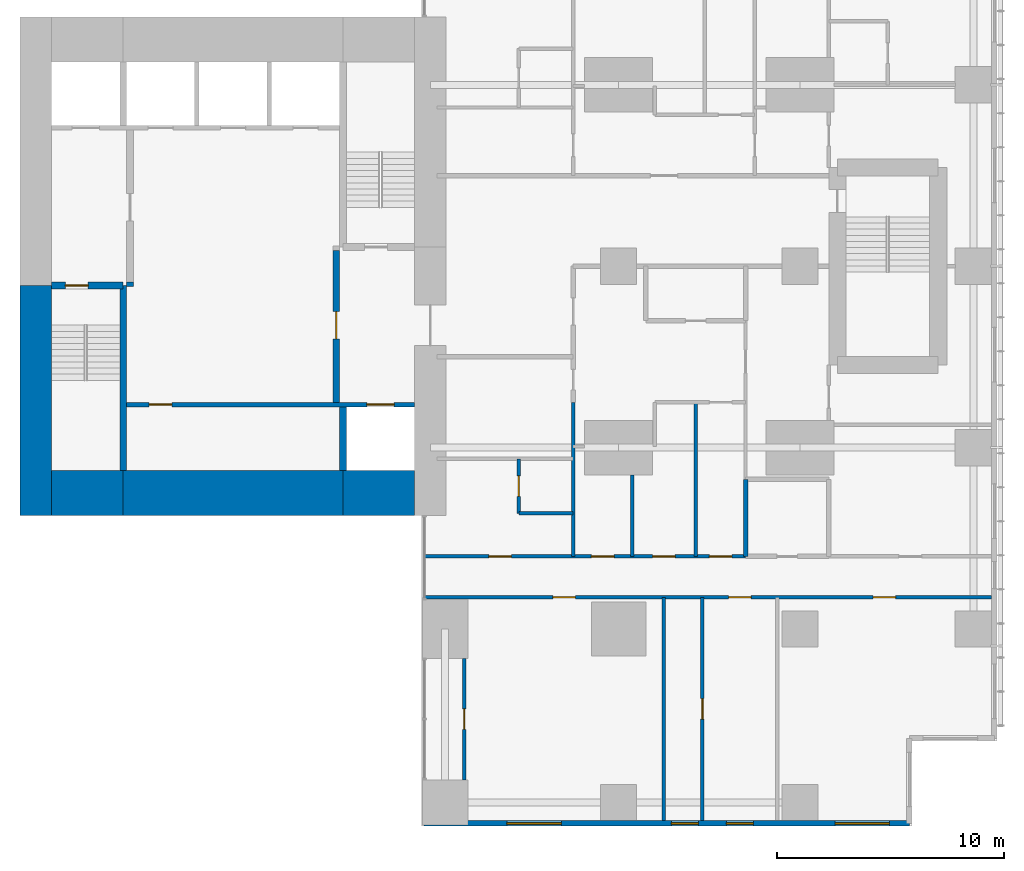
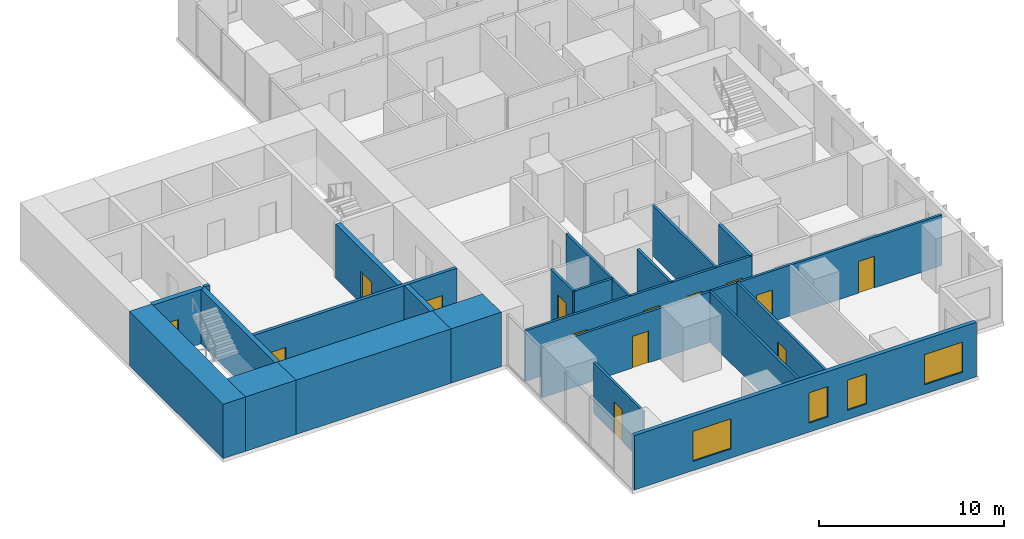
# One storey, part 7 of 12: 22 walls, 14 doors, 4 windows, 18 openings.
"""IFC4 building model written with IfcOpenShell, lengths in metres."""

from ifc_helpers import new_model, si_unit, direction, frame, frame_2d, origin, place, context, subcontext, project, spatial, rectangle, extrude, material, layer, layer_set, type_object, element, fill, save


model = new_model("IFC4")

# Units and contexts
model_context = context("Model", 3, precision=1e-05, world=origin(), true_north=direction((0.0, 1.0)))
body_context = subcontext(model_context, "Body", "Model", "MODEL_VIEW")
ifc_project = project(units=[si_unit("LENGTHUNIT", "METRE"), si_unit("AREAUNIT", "SQUARE_METRE"), si_unit("VOLUMEUNIT", "CUBIC_METRE"), si_unit("PLANEANGLEUNIT", "RADIAN"), si_unit("MASSUNIT", "GRAM", prefix="KILO")], contexts=[model_context])

# Site, building, storey
site_placement = place(None, origin())
site = spatial("IfcSite", under=ifc_project, at=site_placement, CompositionType="ELEMENT")
building_placement = place(site_placement, origin())
building = spatial("IfcBuilding", under=site, at=building_placement, Name="Cleftline Residences", CompositionType="ELEMENT")
storey_placement = place(building_placement, frame((0.0, 0.0, 255.60009765625)))
storey = spatial("IfcBuildingStorey", under=building, at=storey_placement, Name="L67", CompositionType="ELEMENT", Elevation=255.60009765625)

# Walls
ifc_material_1 = material(Name="Concrete B70", Category="concrete")
ifc_layer_1 = layer(ifc_material_1, 1.39990234375)
ifc_layer_set_1 = layer_set([ifc_layer_1], Name="CORE WALL 1400")
wall_type_1 = type_object("IfcWallType", Name="CORE WALL 1400", PredefinedType="SHEAR", material=ifc_layer_set_1)
wall_1_placement = place(storey_placement, frame((24.300048828125, 13.0, 0.0), z_axis=(0.0, 0.0, 1.0), x_axis=(0.0, 1.0, 0.0)))
element("IfcWall", 1, at=wall_1_placement, inside=storey, type_object=wall_type_1, Name="Core wall W0", PredefinedType="SHEAR", context=body_context, shape_type="SweptSolid", body=[
    extrude(rectangle(XDim=10.14990234375, YDim=1.39990234375, at=frame_2d((5.074951171875, 0.0))), origin(), (0.0, 0.0, 1.0), 3.599853515625),
])
ifc_material_2 = material(Name="Concrete B70", Category="concrete")
ifc_layer_2 = layer(ifc_material_2, 2.0)
ifc_layer_set_2 = layer_set([ifc_layer_2], Name="CORE WALL 2000")
wall_type_2 = type_object("IfcWallType", Name="CORE WALL 2000", PredefinedType="SHEAR", material=ifc_layer_set_2)
wall_2_placement = place(storey_placement, frame((25.0, 14.0, 0.0), z_axis=(0.0, 0.0, 1.0), x_axis=(1.0, 0.0, 0.0)))
element("IfcWall", 2, at=wall_2_placement, inside=storey, type_object=wall_type_2, Name="Core wall S1", PredefinedType="SHEAR", context=body_context, shape_type="SweptSolid", body=[
    extrude(rectangle(XDim=3.14990234375, YDim=2.0, at=frame_2d((1.574951171875, 0.0))), origin(), (0.0, 0.0, 1.0), 3.599853515625),
])
wall_3_placement = place(storey_placement, frame((28.14990234375, 14.0, 0.0), z_axis=(0.0, 0.0, 1.0), x_axis=(1.0, 0.0, 0.0)))
element("IfcWall", 3, at=wall_3_placement, inside=storey, type_object=wall_type_2, Name="Core wall S2", PredefinedType="SHEAR", context=body_context, shape_type="SweptSolid", body=[
    extrude(rectangle(XDim=9.7001953125, YDim=2.0, at=frame_2d((4.85009765625, 0.0))), origin(), (0.0, 0.0, 1.0), 3.599853515625),
])
wall_4_placement = place(storey_placement, frame((37.85009765625, 14.0, 0.0), z_axis=(0.0, 0.0, 1.0), x_axis=(1.0, 0.0, 0.0)))
element("IfcWall", 4, at=wall_4_placement, inside=storey, type_object=wall_type_2, Name="Core wall S3", PredefinedType="SHEAR", context=body_context, shape_type="SweptSolid", body=[
    extrude(rectangle(XDim=3.14990234375, YDim=2.0, at=frame_2d((1.574951171875, 0.0))), origin(), (0.0, 0.0, 1.0), 3.599853515625),
])
ifc_material_3 = material(Name="Concrete B70", Category="concrete")
ifc_layer_3 = layer(ifc_material_3, 0.300048828125)
ifc_layer_set_3 = layer_set([ifc_layer_3], Name="CORE WALL 300")
wall_type_3 = type_object("IfcWallType", Name="CORE WALL 300", PredefinedType="SHEAR", material=ifc_layer_set_3)
wall_5_placement = place(storey_placement, frame((28.14990234375, 15.0, 0.0), z_axis=(0.0, 0.0, 1.0), x_axis=(0.0, 1.0, 0.0)))
element("IfcWall", 5, at=wall_5_placement, inside=storey, type_object=wall_type_3, Name="Core wall SA-E", PredefinedType="SHEAR", context=body_context, shape_type="SweptSolid", body=[
    extrude(rectangle(XDim=8.14990234375, YDim=0.300048828125, at=frame_2d((4.074951171875, 0.0))), origin(), (0.0, 0.0, 1.0), 3.599853515625),
])

# Wall, opening, door
wall_6_placement = place(storey_placement, frame((25.0, 23.14990234375, 0.0), z_axis=(0.0, 0.0, 1.0), x_axis=(1.0, 0.0, 0.0)))
wall_6 = element("IfcWall", 6, at=wall_6_placement, inside=storey, type_object=wall_type_3, Name="Core wall SA-N", PredefinedType="SHEAR", context=body_context, shape_type="SweptSolid", body=[
    extrude(rectangle(XDim=3.14990234375, YDim=0.300048828125, at=frame_2d((1.574951171875, 0.0))), origin(), (0.0, 0.0, 1.0), 3.599853515625),
])
opening_1_placement = place(wall_6_placement, frame((0.60009765625, 0.0, 0.0)))
opening_1 = element("IfcOpeningElement", 7, at=opening_1_placement, cuts=wall_6, Name="Opening D5", PredefinedType="OPENING", context=body_context, shape_type="SweptSolid", body=[
    extrude(rectangle(XDim=1.0, YDim=2.10009765625, at=frame_2d((0.5, 1.050048828125))), frame((0.0, 0.159912109375, 0.0), z_axis=(0.0, -1.0, 0.0), x_axis=(1.0, 0.0, 0.0)), (0.0, 0.0, 1.0), 0.320068359375),
])
ifc_material_4 = material(Name="Steel", Category="steel")
door_type_1 = type_object("IfcDoorType", Name="STAIR DOOR 1000X2100", OperationType="SINGLE_SWING_LEFT", PredefinedType="DOOR", material=ifc_material_4)
door_1_placement = place(opening_1_placement, origin())
door_1 = element("IfcDoor", 8, at=door_1_placement, inside=storey, type_object=door_type_1, Name="Stair A door", OperationType="SINGLE_SWING_RIGHT", OverallHeight=2.10009765625, OverallWidth=1.0, PredefinedType="DOOR", context=body_context, shape_type="SweptSolid", body=[
    extrude(rectangle(XDim=1.0, YDim=2.10009765625, at=frame_2d((0.5, 1.050048828125))), frame((0.0, 0.02490234375, 0.0), z_axis=(0.0, -1.0, 0.0), x_axis=(1.0, 0.0, 0.0)), (0.0, 0.0, 1.0), 0.050048828125),
])
fill(opening_1, door_1)

# Wall
wall_7_placement = place(storey_placement, frame((37.85009765625, 15.0, 0.0), z_axis=(0.0, 0.0, 1.0), x_axis=(0.0, 1.0, 0.0)))
element("IfcWall", 9, at=wall_7_placement, inside=storey, type_object=wall_type_3, Name="Lift shaft wall", PredefinedType="SHEAR", context=body_context, shape_type="SweptSolid", body=[
    extrude(rectangle(XDim=2.800048828125, YDim=0.300048828125, at=frame_2d((1.39990234375, 0.0))), origin(), (0.0, 0.0, 1.0), 3.599853515625),
])

# Wall, openings, windows
ifc_material_5 = material(Name="Rendered reinforced concrete blockwork", Category="masonry")
ifc_layer_4 = layer(ifc_material_5, 0.25)
ifc_layer_set_4 = layer_set([ifc_layer_4], Name="EXTERNAL WALL 250")
wall_type_4 = type_object("IfcWallType", Name="EXTERNAL WALL 250", PredefinedType="SOLIDWALL", material=ifc_layer_set_4)
wall_8_placement = place(storey_placement, frame((41.425048828125, -0.574951171875, 0.0), z_axis=(0.0, 0.0, 1.0), x_axis=(1.0, 0.0, 0.0)))
wall_8 = element("IfcWall", 10, at=wall_8_placement, inside=storey, type_object=wall_type_4, Name="External wall", PredefinedType="SOLIDWALL", context=body_context, shape_type="SweptSolid", body=[
    extrude(rectangle(XDim=21.39990234375, YDim=0.25, at=frame_2d((10.699951171875, 0.0))), origin(), (0.0, 0.0, 1.0), 3.599853515625),
])
opening_2_placement = place(wall_8_placement, frame((3.64990234375, 0.0, 0.60009765625)))
opening_2 = element("IfcOpeningElement", 11, at=opening_2_placement, cuts=wall_8, Name="Opening W6", PredefinedType="OPENING", context=body_context, shape_type="SweptSolid", body=[
    extrude(rectangle(XDim=2.39990234375, YDim=2.0, at=frame_2d((1.199951171875, 1.0))), frame((0.0, 0.135009765625, 0.0), z_axis=(0.0, -1.0, 0.0), x_axis=(1.0, 0.0, 0.0)), (0.0, 0.0, 1.0), 0.27001953125),
])
opening_3_placement = place(wall_8_placement, frame((10.89990234375, 0.0, 0.60009765625)))
opening_3 = element("IfcOpeningElement", 12, at=opening_3_placement, cuts=wall_8, Name="Opening W8", PredefinedType="OPENING", context=body_context, shape_type="SweptSolid", body=[
    extrude(rectangle(XDim=1.199951171875, YDim=2.0, at=frame_2d((0.60009765625, 1.0))), frame((0.0, 0.135009765625, 0.0), z_axis=(0.0, -1.0, 0.0), x_axis=(1.0, 0.0, 0.0)), (0.0, 0.0, 1.0), 0.27001953125),
])
opening_4_placement = place(wall_8_placement, frame((13.324951171875, 0.0, 0.60009765625)))
opening_4 = element("IfcOpeningElement", 13, at=opening_4_placement, cuts=wall_8, Name="Opening W8", PredefinedType="OPENING", context=body_context, shape_type="SweptSolid", body=[
    extrude(rectangle(XDim=1.199951171875, YDim=2.0, at=frame_2d((0.60009765625, 1.0))), frame((0.0, 0.135009765625, 0.0), z_axis=(0.0, -1.0, 0.0), x_axis=(1.0, 0.0, 0.0)), (0.0, 0.0, 1.0), 0.27001953125),
])
opening_5_placement = place(wall_8_placement, frame((18.125, 0.0, 0.60009765625)))
opening_5 = element("IfcOpeningElement", 14, at=opening_5_placement, cuts=wall_8, Name="Opening W6", PredefinedType="OPENING", context=body_context, shape_type="SweptSolid", body=[
    extrude(rectangle(XDim=2.39990234375, YDim=2.0, at=frame_2d((1.199951171875, 1.0))), frame((0.0, 0.135009765625, 0.0), z_axis=(0.0, -1.0, 0.0), x_axis=(1.0, 0.0, 0.0)), (0.0, 0.0, 1.0), 0.27001953125),
])
ifc_material_6 = material(Name="Aluminium frame, clear double glazing", Category="aluminium")
window_type_1 = type_object("IfcWindowType", Name="WINDOW 1200X2000", PartitioningType="DOUBLE_PANEL_VERTICAL", PredefinedType="WINDOW", material=ifc_material_6)
window_1_placement = place(opening_3_placement, origin())
window_1 = element("IfcWindow", 15, at=window_1_placement, inside=storey, type_object=window_type_1, Name="Window", OverallHeight=2.0, OverallWidth=1.199951171875, PartitioningType="SINGLE_PANEL", PredefinedType="WINDOW", context=body_context, shape_type="SweptSolid", body=[
    extrude(rectangle(XDim=1.199951171875, YDim=2.0, at=frame_2d((0.60009765625, 1.0))), frame((0.0, 0.030029296875, 0.0), z_axis=(0.0, -1.0, 0.0), x_axis=(1.0, 0.0, 0.0)), (0.0, 0.0, 1.0), 0.06005859375),
])
fill(opening_3, window_1)
window_2_placement = place(opening_4_placement, origin())
window_2 = element("IfcWindow", 16, at=window_2_placement, inside=storey, type_object=window_type_1, Name="Window", OverallHeight=2.0, OverallWidth=1.199951171875, PartitioningType="SINGLE_PANEL", PredefinedType="WINDOW", context=body_context, shape_type="SweptSolid", body=[
    extrude(rectangle(XDim=1.199951171875, YDim=2.0, at=frame_2d((0.60009765625, 1.0))), frame((0.0, 0.030029296875, 0.0), z_axis=(0.0, -1.0, 0.0), x_axis=(1.0, 0.0, 0.0)), (0.0, 0.0, 1.0), 0.06005859375),
])
fill(opening_4, window_2)
ifc_material_7 = material(Name="Aluminium frame, clear double glazing", Category="aluminium")
window_type_2 = type_object("IfcWindowType", Name="WINDOW 2400X2000", PartitioningType="DOUBLE_PANEL_VERTICAL", PredefinedType="WINDOW", material=ifc_material_7)
window_3_placement = place(opening_2_placement, origin())
window_3 = element("IfcWindow", 17, at=window_3_placement, inside=storey, type_object=window_type_2, Name="Window", OverallHeight=2.0, OverallWidth=2.39990234375, PartitioningType="SINGLE_PANEL", PredefinedType="WINDOW", context=body_context, shape_type="SweptSolid", body=[
    extrude(rectangle(XDim=2.39990234375, YDim=2.0, at=frame_2d((1.199951171875, 1.0))), frame((0.0, 0.030029296875, 0.0), z_axis=(0.0, -1.0, 0.0), x_axis=(1.0, 0.0, 0.0)), (0.0, 0.0, 1.0), 0.06005859375),
])
fill(opening_2, window_3)
window_4_placement = place(opening_5_placement, origin())
window_4 = element("IfcWindow", 18, at=window_4_placement, inside=storey, type_object=window_type_2, Name="Window", OverallHeight=2.0, OverallWidth=2.39990234375, PartitioningType="SINGLE_PANEL", PredefinedType="WINDOW", context=body_context, shape_type="SweptSolid", body=[
    extrude(rectangle(XDim=2.39990234375, YDim=2.0, at=frame_2d((1.199951171875, 1.0))), frame((0.0, 0.030029296875, 0.0), z_axis=(0.0, -1.0, 0.0), x_axis=(1.0, 0.0, 0.0)), (0.0, 0.0, 1.0), 0.06005859375),
])
fill(opening_5, window_4)

# Walls
ifc_material_8 = material(Name="Concrete blockwork, fire rated", Category="masonry")
ifc_layer_5 = layer(ifc_material_8, 0.199951171875)
ifc_layer_set_5 = layer_set([ifc_layer_5], Name="FIRE WALL 200")
wall_type_5 = type_object("IfcWallType", Name="FIRE WALL 200", PredefinedType="PARTITIONING", material=ifc_layer_set_5)
wall_9_placement = place(storey_placement, frame((55.60009765625, 11.199951171875, 0.0), z_axis=(0.0, 0.0, 1.0), x_axis=(0.0, 1.0, 0.0)))
element("IfcWall", 19, at=wall_9_placement, inside=storey, type_object=wall_type_5, Name="Fire separating wall", PredefinedType="PARTITIONING", context=body_context, shape_type="SweptSolid", body=[
    extrude(rectangle(XDim=3.400146484375, YDim=0.199951171875, at=frame_2d((1.7001953125, 0.0))), origin(), (0.0, 0.0, 1.0), 3.349853515625),
])
wall_10_placement = place(storey_placement, frame((28.300048828125, 23.199951171875, 0.0), z_axis=(0.0, 0.0, 1.0), x_axis=(1.0, 0.0, 0.0)))
element("IfcWall", 20, at=wall_10_placement, inside=storey, type_object=wall_type_5, Name="Fire separating wall", PredefinedType="PARTITIONING", context=body_context, shape_type="SweptSolid", body=[
    extrude(rectangle(XDim=0.300048828125, YDim=0.199951171875, at=frame_2d((0.14990234375, 0.0))), origin(), (0.0, 0.0, 1.0), 3.599853515625),
])

# Wall, openings, doors
ifc_material_9 = material(Name="Gypsum board on steel studs", Category="steel")
ifc_layer_6 = layer(ifc_material_9, 0.14990234375)
ifc_layer_set_6 = layer_set([ifc_layer_6], Name="PARTITION 150")
wall_type_6 = type_object("IfcWallType", Name="PARTITION 150", PredefinedType="PARTITIONING", material=ifc_layer_set_6)
wall_11_placement = place(storey_placement, frame((41.43896484375, 9.39990234375, 0.0), z_axis=(0.0, 0.0, 1.0), x_axis=(1.0, 0.0, 0.0)))
wall_11 = element("IfcWall", 21, at=wall_11_placement, inside=storey, type_object=wall_type_6, Name="Partition", PredefinedType="PARTITIONING", context=body_context, shape_type="SweptSolid", body=[
    extrude(rectangle(XDim=25.010986328125, YDim=0.14990234375, at=frame_2d((12.50537109375, 0.0))), origin(), (0.0, 0.0, 1.0), 3.349853515625),
])
opening_6_placement = place(wall_11_placement, frame((19.785888671875, 0.0, 0.0)))
opening_6 = element("IfcOpeningElement", 22, at=opening_6_placement, cuts=wall_11, Name="Opening D2", PredefinedType="OPENING", context=body_context, shape_type="SweptSolid", body=[
    extrude(rectangle(XDim=1.0, YDim=2.10009765625, at=frame_2d((0.5, 1.050048828125))), frame((0.0, 0.0849609375, 0.0), z_axis=(0.0, -1.0, 0.0), x_axis=(1.0, 0.0, 0.0)), (0.0, 0.0, 1.0), 0.169921875),
])
opening_7_placement = place(wall_11_placement, frame((13.410888671875, 0.0, 0.0)))
opening_7 = element("IfcOpeningElement", 23, at=opening_7_placement, cuts=wall_11, Name="Opening D2", PredefinedType="OPENING", context=body_context, shape_type="SweptSolid", body=[
    extrude(rectangle(XDim=1.0, YDim=2.10009765625, at=frame_2d((0.5, 1.050048828125))), frame((0.0, 0.0849609375, 0.0), z_axis=(0.0, -1.0, 0.0), x_axis=(1.0, 0.0, 0.0)), (0.0, 0.0, 1.0), 0.169921875),
])
opening_8_placement = place(wall_11_placement, frame((5.660888671875, 0.0, 0.0)))
opening_8 = element("IfcOpeningElement", 24, at=opening_8_placement, cuts=wall_11, Name="Opening D2", PredefinedType="OPENING", context=body_context, shape_type="SweptSolid", body=[
    extrude(rectangle(XDim=1.0, YDim=2.10009765625, at=frame_2d((0.5, 1.050048828125))), frame((0.0, 0.0849609375, 0.0), z_axis=(0.0, -1.0, 0.0), x_axis=(1.0, 0.0, 0.0)), (0.0, 0.0, 1.0), 0.169921875),
])
ifc_material_10 = material(Name="Timber veneer on solid core", Category="wood")
door_type_2 = type_object("IfcDoorType", Name="DOOR 1000X2100", OperationType="SINGLE_SWING_LEFT", PredefinedType="DOOR", material=ifc_material_10)
door_2_placement = place(opening_6_placement, origin())
door_2 = element("IfcDoor", 25, at=door_2_placement, inside=storey, type_object=door_type_2, Name="Door to sea-view dining room", OperationType="SINGLE_SWING_LEFT", OverallHeight=2.10009765625, OverallWidth=1.0, PredefinedType="DOOR", context=body_context, shape_type="SweptSolid", body=[
    extrude(rectangle(XDim=1.0, YDim=2.10009765625, at=frame_2d((0.5, 1.050048828125))), frame((0.0, 0.02490234375, 0.0), z_axis=(0.0, -1.0, 0.0), x_axis=(1.0, 0.0, 0.0)), (0.0, 0.0, 1.0), 0.050048828125),
])
fill(opening_6, door_2)
door_3_placement = place(opening_7_placement, origin())
door_3 = element("IfcDoor", 26, at=door_3_placement, inside=storey, type_object=door_type_2, Name="Door to show kitchen", OperationType="SINGLE_SWING_LEFT", OverallHeight=2.10009765625, OverallWidth=1.0, PredefinedType="DOOR", context=body_context, shape_type="SweptSolid", body=[
    extrude(rectangle(XDim=1.0, YDim=2.10009765625, at=frame_2d((0.5, 1.050048828125))), frame((0.0, 0.02490234375, 0.0), z_axis=(0.0, -1.0, 0.0), x_axis=(1.0, 0.0, 0.0)), (0.0, 0.0, 1.0), 0.050048828125),
])
fill(opening_7, door_3)
door_4_placement = place(opening_8_placement, origin())
door_4 = element("IfcDoor", 27, at=door_4_placement, inside=storey, type_object=door_type_2, Name="Door to family room", OperationType="SINGLE_SWING_RIGHT", OverallHeight=2.10009765625, OverallWidth=1.0, PredefinedType="DOOR", context=body_context, shape_type="SweptSolid", body=[
    extrude(rectangle(XDim=1.0, YDim=2.10009765625, at=frame_2d((0.5, 1.050048828125))), frame((0.0, 0.02490234375, 0.0), z_axis=(0.0, -1.0, 0.0), x_axis=(1.0, 0.0, 0.0)), (0.0, 0.0, 1.0), 0.050048828125),
])
fill(opening_8, door_4)

wall_12_placement = place(storey_placement, frame((41.43896484375, 11.199951171875, 0.0), z_axis=(0.0, 0.0, 1.0), x_axis=(1.0, 0.0, 0.0)))
wall_12 = element("IfcWall", 28, at=wall_12_placement, inside=storey, type_object=wall_type_6, Name="Partition", PredefinedType="PARTITIONING", context=body_context, shape_type="SweptSolid", body=[
    extrude(rectangle(XDim=14.1611328125, YDim=0.14990234375, at=frame_2d((7.08056640625, 0.0))), origin(), (0.0, 0.0, 1.0), 3.349853515625),
])
opening_9_placement = place(wall_12_placement, frame((12.56103515625, 0.0, 0.0)))
opening_9 = element("IfcOpeningElement", 29, at=opening_9_placement, cuts=wall_12, Name="Opening D2F30", PredefinedType="OPENING", context=body_context, shape_type="SweptSolid", body=[
    extrude(rectangle(XDim=1.0, YDim=2.10009765625, at=frame_2d((0.5, 1.050048828125))), frame((0.0, 0.0849609375, 0.0), z_axis=(0.0, -1.0, 0.0), x_axis=(1.0, 0.0, 0.0)), (0.0, 0.0, 1.0), 0.169921875),
])
opening_10_placement = place(wall_12_placement, frame((10.06103515625, 0.0, 0.0)))
opening_10 = element("IfcOpeningElement", 30, at=opening_10_placement, cuts=wall_12, Name="Opening D2F30", PredefinedType="OPENING", context=body_context, shape_type="SweptSolid", body=[
    extrude(rectangle(XDim=1.0, YDim=2.10009765625, at=frame_2d((0.5, 1.050048828125))), frame((0.0, 0.0849609375, 0.0), z_axis=(0.0, -1.0, 0.0), x_axis=(1.0, 0.0, 0.0)), (0.0, 0.0, 1.0), 0.169921875),
])
opening_11_placement = place(wall_12_placement, frame((7.361083984375, 0.0, 0.0)))
opening_11 = element("IfcOpeningElement", 31, at=opening_11_placement, cuts=wall_12, Name="Opening D2F30", PredefinedType="OPENING", context=body_context, shape_type="SweptSolid", body=[
    extrude(rectangle(XDim=1.0, YDim=2.10009765625, at=frame_2d((0.5, 1.050048828125))), frame((0.0, 0.0849609375, 0.0), z_axis=(0.0, -1.0, 0.0), x_axis=(1.0, 0.0, 0.0)), (0.0, 0.0, 1.0), 0.169921875),
])
opening_12_placement = place(wall_12_placement, frame((2.8359375, 0.0, 0.0)))
opening_12 = element("IfcOpeningElement", 32, at=opening_12_placement, cuts=wall_12, Name="Opening D2F30", PredefinedType="OPENING", context=body_context, shape_type="SweptSolid", body=[
    extrude(rectangle(XDim=1.0, YDim=2.10009765625, at=frame_2d((0.5, 1.050048828125))), frame((0.0, 0.0849609375, 0.0), z_axis=(0.0, -1.0, 0.0), x_axis=(1.0, 0.0, 0.0)), (0.0, 0.0, 1.0), 0.169921875),
])
ifc_material_11 = material(Name="Timber veneer on solid core", Category="wood")
door_type_3 = type_object("IfcDoorType", Name="DOOR 1000X2100 EI 30", OperationType="SINGLE_SWING_LEFT", PredefinedType="DOOR", material=ifc_material_11)
door_5_placement = place(opening_9_placement, origin())
door_5 = element("IfcDoor", 33, at=door_5_placement, inside=storey, type_object=door_type_3, Name="Door to residence hall (gallery)", OperationType="SINGLE_SWING_LEFT", OverallHeight=2.10009765625, OverallWidth=1.0, PredefinedType="DOOR", context=body_context, shape_type="SweptSolid", body=[
    extrude(rectangle(XDim=1.0, YDim=2.10009765625, at=frame_2d((0.5, 1.050048828125))), frame((0.0, 0.02490234375, 0.0), z_axis=(0.0, -1.0, 0.0), x_axis=(1.0, 0.0, 0.0)), (0.0, 0.0, 1.0), 0.050048828125),
])
fill(opening_9, door_5)
door_6_placement = place(opening_10_placement, origin())
door_6 = element("IfcDoor", 34, at=door_6_placement, inside=storey, type_object=door_type_3, Name="Door to wet kitchen", OperationType="SINGLE_SWING_LEFT", OverallHeight=2.10009765625, OverallWidth=1.0, PredefinedType="DOOR", context=body_context, shape_type="SweptSolid", body=[
    extrude(rectangle(XDim=1.0, YDim=2.10009765625, at=frame_2d((0.5, 1.050048828125))), frame((0.0, 0.02490234375, 0.0), z_axis=(0.0, -1.0, 0.0), x_axis=(1.0, 0.0, 0.0)), (0.0, 0.0, 1.0), 0.050048828125),
])
fill(opening_10, door_6)
door_7_placement = place(opening_11_placement, origin())
door_7 = element("IfcDoor", 35, at=door_7_placement, inside=storey, type_object=door_type_3, Name="Door to library", OperationType="SINGLE_SWING_LEFT", OverallHeight=2.10009765625, OverallWidth=1.0, PredefinedType="DOOR", context=body_context, shape_type="SweptSolid", body=[
    extrude(rectangle(XDim=1.0, YDim=2.10009765625, at=frame_2d((0.5, 1.050048828125))), frame((0.0, 0.02490234375, 0.0), z_axis=(0.0, -1.0, 0.0), x_axis=(1.0, 0.0, 0.0)), (0.0, 0.0, 1.0), 0.050048828125),
])
fill(opening_11, door_7)
door_8_placement = place(opening_12_placement, origin())
door_8 = element("IfcDoor", 36, at=door_8_placement, inside=storey, type_object=door_type_3, Name="Door to staff bedroom", OperationType="SINGLE_SWING_RIGHT", OverallHeight=2.10009765625, OverallWidth=1.0, PredefinedType="DOOR", context=body_context, shape_type="SweptSolid", body=[
    extrude(rectangle(XDim=1.0, YDim=2.10009765625, at=frame_2d((0.5, 1.050048828125))), frame((0.0, 0.02490234375, 0.0), z_axis=(0.0, -1.0, 0.0), x_axis=(1.0, 0.0, 0.0)), (0.0, 0.0, 1.0), 0.050048828125),
])
fill(opening_12, door_8)

# Wall
wall_13_placement = place(storey_placement, frame((45.60009765625, 13.10009765625, 0.0), z_axis=(0.0, 0.0, 1.0), x_axis=(1.0, 0.0, 0.0)))
element("IfcWall", 37, at=wall_13_placement, inside=storey, type_object=wall_type_6, Name="Partition", PredefinedType="PARTITIONING", context=body_context, shape_type="SweptSolid", body=[
    extrude(rectangle(XDim=2.39990234375, YDim=0.14990234375, at=frame_2d((1.199951171875, 0.0))), origin(), (0.0, 0.0, 1.0), 3.349853515625),
])

# Wall, opening, door
wall_14_placement = place(storey_placement, frame((43.199951171875, 1.35009765625, 0.0), z_axis=(0.0, 0.0, 1.0), x_axis=(0.0, 1.0, 0.0)))
wall_14 = element("IfcWall", 38, at=wall_14_placement, inside=storey, type_object=wall_type_6, Name="Partition", PredefinedType="PARTITIONING", context=body_context, shape_type="SweptSolid", body=[
    extrude(rectangle(XDim=5.349853515625, YDim=0.14990234375, at=frame_2d((2.6748046875, 0.0))), origin(), (0.0, 0.0, 1.0), 3.349853515625),
])
opening_13_placement = place(wall_14_placement, frame((2.22509765625, 0.0, 0.0)))
opening_13 = element("IfcOpeningElement", 39, at=opening_13_placement, cuts=wall_14, Name="Opening D1", PredefinedType="OPENING", context=body_context, shape_type="SweptSolid", body=[
    extrude(rectangle(XDim=0.89990234375, YDim=2.10009765625, at=frame_2d((0.449951171875, 1.050048828125))), frame((0.0, 0.0849609375, 0.0), z_axis=(0.0, -1.0, 0.0), x_axis=(1.0, 0.0, 0.0)), (0.0, 0.0, 1.0), 0.169921875),
])
ifc_material_12 = material(Name="Timber veneer on solid core", Category="wood")
door_type_4 = type_object("IfcDoorType", Name="DOOR 900X2100", OperationType="SINGLE_SWING_LEFT", PredefinedType="DOOR", material=ifc_material_12)
door_9_placement = place(opening_13_placement, origin())
door_9 = element("IfcDoor", 40, at=door_9_placement, inside=storey, type_object=door_type_4, Name="Door to library", OperationType="SINGLE_SWING_LEFT", OverallHeight=2.10009765625, OverallWidth=0.89990234375, PredefinedType="DOOR", context=body_context, shape_type="SweptSolid", body=[
    extrude(rectangle(XDim=0.89990234375, YDim=2.10009765625, at=frame_2d((0.449951171875, 1.050048828125))), frame((0.0, 0.02490234375, 0.0), z_axis=(0.0, -1.0, 0.0), x_axis=(1.0, 0.0, 0.0)), (0.0, 0.0, 1.0), 0.050048828125),
])
fill(opening_13, door_9)

wall_15_placement = place(storey_placement, frame((45.60009765625, 13.10009765625, 0.0), z_axis=(0.0, 0.0, 1.0), x_axis=(0.0, 1.0, 0.0)))
wall_15 = element("IfcWall", 41, at=wall_15_placement, inside=storey, type_object=wall_type_6, Name="Partition", PredefinedType="PARTITIONING", context=body_context, shape_type="SweptSolid", body=[
    extrude(rectangle(XDim=2.39990234375, YDim=0.14990234375, at=frame_2d((1.199951171875, 0.0))), origin(), (0.0, 0.0, 1.0), 3.349853515625),
])
opening_14_placement = place(wall_15_placement, frame((0.75, 0.0, 0.0)))
opening_14 = element("IfcOpeningElement", 42, at=opening_14_placement, cuts=wall_15, Name="Opening D1", PredefinedType="OPENING", context=body_context, shape_type="SweptSolid", body=[
    extrude(rectangle(XDim=0.89990234375, YDim=2.10009765625, at=frame_2d((0.449951171875, 1.050048828125))), frame((0.0, 0.0849609375, 0.0), z_axis=(0.0, -1.0, 0.0), x_axis=(1.0, 0.0, 0.0)), (0.0, 0.0, 1.0), 0.169921875),
])
door_10_placement = place(opening_14_placement, origin())
door_10 = element("IfcDoor", 43, at=door_10_placement, inside=storey, type_object=door_type_4, Name="Door to staff shower room", OperationType="SINGLE_SWING_LEFT", OverallHeight=2.10009765625, OverallWidth=0.89990234375, PredefinedType="DOOR", context=body_context, shape_type="SweptSolid", body=[
    extrude(rectangle(XDim=0.89990234375, YDim=2.10009765625, at=frame_2d((0.449951171875, 1.050048828125))), frame((0.0, 0.02490234375, 0.0), z_axis=(0.0, -1.0, 0.0), x_axis=(1.0, 0.0, 0.0)), (0.0, 0.0, 1.0), 0.050048828125),
])
fill(opening_14, door_10)

# Walls
wall_16_placement = place(storey_placement, frame((48.0, 11.199951171875, 0.0), z_axis=(0.0, 0.0, 1.0), x_axis=(0.0, 1.0, 0.0)))
element("IfcWall", 44, at=wall_16_placement, inside=storey, type_object=wall_type_6, Name="Partition", PredefinedType="PARTITIONING", context=body_context, shape_type="SweptSolid", body=[
    extrude(rectangle(XDim=6.800048828125, YDim=0.14990234375, at=frame_2d((3.39990234375, 0.0))), origin(), (0.0, 0.0, 1.0), 3.349853515625),
])
wall_17_placement = place(storey_placement, frame((50.60009765625, 11.199951171875, 0.0), z_axis=(0.0, 0.0, 1.0), x_axis=(0.0, 1.0, 0.0)))
element("IfcWall", 45, at=wall_17_placement, inside=storey, type_object=wall_type_6, Name="Partition", PredefinedType="PARTITIONING", context=body_context, shape_type="SweptSolid", body=[
    extrude(rectangle(XDim=3.60009765625, YDim=0.14990234375, at=frame_2d((1.800048828125, 0.0))), origin(), (0.0, 0.0, 1.0), 3.349853515625),
])
wall_18_placement = place(storey_placement, frame((52.0, -0.449951171875, 0.0), z_axis=(0.0, 0.0, 1.0), x_axis=(0.0, 1.0, 0.0)))
element("IfcWall", 46, at=wall_18_placement, inside=storey, type_object=wall_type_6, Name="Partition", PredefinedType="PARTITIONING", context=body_context, shape_type="SweptSolid", body=[
    extrude(rectangle(XDim=9.849853515625, YDim=0.14990234375, at=frame_2d((4.9248046875, 0.0))), origin(), (0.0, 0.0, 1.0), 3.349853515625),
])
wall_19_placement = place(storey_placement, frame((53.39990234375, 11.199951171875, 0.0), z_axis=(0.0, 0.0, 1.0), x_axis=(0.0, 1.0, 0.0)))
element("IfcWall", 47, at=wall_19_placement, inside=storey, type_object=wall_type_6, Name="Partition", PredefinedType="PARTITIONING", context=body_context, shape_type="SweptSolid", body=[
    extrude(rectangle(XDim=6.800048828125, YDim=0.14990234375, at=frame_2d((3.39990234375, 0.0))), origin(), (0.0, 0.0, 1.0), 3.349853515625),
])

# Wall, opening, door
wall_20_placement = place(storey_placement, frame((53.699951171875, -0.449951171875, 0.0), z_axis=(0.0, 0.0, 1.0), x_axis=(0.0, 1.0, 0.0)))
wall_20 = element("IfcWall", 48, at=wall_20_placement, inside=storey, type_object=wall_type_6, Name="Partition", PredefinedType="PARTITIONING", context=body_context, shape_type="SweptSolid", body=[
    extrude(rectangle(XDim=9.849853515625, YDim=0.14990234375, at=frame_2d((4.9248046875, 0.0))), origin(), (0.0, 0.0, 1.0), 3.349853515625),
])
opening_15_placement = place(wall_20_placement, frame((4.47509765625, 0.0, 0.0)))
opening_15 = element("IfcOpeningElement", 49, at=opening_15_placement, cuts=wall_20, Name="Opening D1", PredefinedType="OPENING", context=body_context, shape_type="SweptSolid", body=[
    extrude(rectangle(XDim=0.89990234375, YDim=2.10009765625, at=frame_2d((0.449951171875, 1.050048828125))), frame((0.0, 0.0849609375, 0.0), z_axis=(0.0, -1.0, 0.0), x_axis=(1.0, 0.0, 0.0)), (0.0, 0.0, 1.0), 0.169921875),
])
door_11_placement = place(opening_15_placement, origin())
door_11 = element("IfcDoor", 50, at=door_11_placement, inside=storey, type_object=door_type_4, Name="Door to larder", OperationType="SINGLE_SWING_LEFT", OverallHeight=2.10009765625, OverallWidth=0.89990234375, PredefinedType="DOOR", context=body_context, shape_type="SweptSolid", body=[
    extrude(rectangle(XDim=0.89990234375, YDim=2.10009765625, at=frame_2d((0.449951171875, 1.050048828125))), frame((0.0, 0.02490234375, 0.0), z_axis=(0.0, -1.0, 0.0), x_axis=(1.0, 0.0, 0.0)), (0.0, 0.0, 1.0), 0.050048828125),
])
fill(opening_15, door_11)

# Wall, openings, doors
ifc_material_13 = material(Name="Concrete blockwork, fire rated", Category="masonry")
ifc_layer_7 = layer(ifc_material_13, 0.199951171875)
ifc_layer_set_7 = layer_set([ifc_layer_7], Name="SHAFT WALL 200")
wall_type_7 = type_object("IfcWallType", Name="SHAFT WALL 200", PredefinedType="PARTITIONING", material=ifc_layer_set_7)
wall_21_placement = place(storey_placement, frame((28.300048828125, 17.89990234375, 0.0), z_axis=(0.0, 0.0, 1.0), x_axis=(1.0, 0.0, 0.0)))
wall_21 = element("IfcWall", 51, at=wall_21_placement, inside=storey, type_object=wall_type_7, Name="Core room wall", PredefinedType="PARTITIONING", context=body_context, shape_type="SweptSolid", body=[
    extrude(rectangle(XDim=12.699951171875, YDim=0.199951171875, at=frame_2d((6.35009765625, 0.0))), origin(), (0.0, 0.0, 1.0), 3.599853515625),
])
opening_16_placement = place(wall_21_placement, frame((1.0, 0.0, 0.0)))
opening_16 = element("IfcOpeningElement", 52, at=opening_16_placement, cuts=wall_21, Name="Opening D2F60", PredefinedType="OPENING", context=body_context, shape_type="SweptSolid", body=[
    extrude(rectangle(XDim=1.0, YDim=2.10009765625, at=frame_2d((0.5, 1.050048828125))), frame((0.0, 0.10986328125, 0.0), z_axis=(0.0, -1.0, 0.0), x_axis=(1.0, 0.0, 0.0)), (0.0, 0.0, 1.0), 0.219970703125),
])
opening_17_placement = place(wall_21_placement, frame((10.60009765625, 0.0, 0.0)))
opening_17 = element("IfcOpeningElement", 53, at=opening_17_placement, cuts=wall_21, Name="Opening LD2", PredefinedType="OPENING", context=body_context, shape_type="SweptSolid", body=[
    extrude(rectangle(XDim=1.199951171875, YDim=2.10009765625, at=frame_2d((0.60009765625, 1.050048828125))), frame((0.0, 0.10986328125, 0.0), z_axis=(0.0, -1.0, 0.0), x_axis=(1.0, 0.0, 0.0)), (0.0, 0.0, 1.0), 0.219970703125),
])
ifc_material_14 = material(Name="Timber veneer on solid core", Category="wood")
door_type_5 = type_object("IfcDoorType", Name="DOOR 1000X2100 EI 60", OperationType="SINGLE_SWING_LEFT", PredefinedType="DOOR", material=ifc_material_14)
door_12_placement = place(opening_16_placement, origin())
door_12 = element("IfcDoor", 54, at=door_12_placement, inside=storey, type_object=door_type_5, Name="Door to electrical room", OperationType="SINGLE_SWING_RIGHT", OverallHeight=2.10009765625, OverallWidth=1.0, PredefinedType="DOOR", context=body_context, shape_type="SweptSolid", body=[
    extrude(rectangle(XDim=1.0, YDim=2.10009765625, at=frame_2d((0.5, 1.050048828125))), frame((0.0, 0.02490234375, 0.0), z_axis=(0.0, -1.0, 0.0), x_axis=(1.0, 0.0, 0.0)), (0.0, 0.0, 1.0), 0.050048828125),
])
fill(opening_16, door_12)
ifc_material_15 = material(Name="Steel", Category="steel")
door_type_6 = type_object("IfcDoorType", Name="FIREFIGHTING LIFT LANDING DOOR 1200X2100", OperationType="SLIDING_TO_LEFT", PredefinedType="DOOR", material=ifc_material_15)
door_13_placement = place(opening_17_placement, origin())
door_13 = element("IfcDoor", 55, at=door_13_placement, inside=storey, type_object=door_type_6, Name="Lift FL2 landing door", OperationType="SLIDING_TO_LEFT", OverallHeight=2.10009765625, OverallWidth=1.199951171875, PredefinedType="DOOR", context=body_context, shape_type="SweptSolid", body=[
    extrude(rectangle(XDim=1.199951171875, YDim=2.10009765625, at=frame_2d((0.60009765625, 1.050048828125))), frame((0.0, 0.02490234375, 0.0), z_axis=(0.0, -1.0, 0.0), x_axis=(1.0, 0.0, 0.0)), (0.0, 0.0, 1.0), 0.050048828125),
])
fill(opening_17, door_13)

# Wall, opening, door
ifc_material_16 = material(Name="Concrete blockwork, fire rated", Category="masonry")
ifc_layer_8 = layer(ifc_material_16, 0.300048828125)
ifc_layer_set_8 = layer_set([ifc_layer_8], Name="STAIR LOBBY WALL 300")
wall_type_8 = type_object("IfcWallType", Name="STAIR LOBBY WALL 300", PredefinedType="PARTITIONING", material=ifc_layer_set_8)
wall_22_placement = place(storey_placement, frame((37.550048828125, 18.0, 0.0), z_axis=(0.0, 0.0, 1.0), x_axis=(0.0, 1.0, 0.0)))
wall_22 = element("IfcWall", 56, at=wall_22_placement, inside=storey, type_object=wall_type_8, Name="Stair and lobby wall FB-W", PredefinedType="PARTITIONING", context=body_context, shape_type="SweptSolid", body=[
    extrude(rectangle(XDim=6.699951171875, YDim=0.300048828125, at=frame_2d((3.35009765625, 0.0))), origin(), (0.0, 0.0, 1.0), 3.599853515625),
])
opening_18_placement = place(wall_22_placement, frame((2.800048828125, 0.0, 0.0)))
opening_18 = element("IfcOpeningElement", 57, at=opening_18_placement, cuts=wall_22, Name="Opening D6", PredefinedType="OPENING", context=body_context, shape_type="SweptSolid", body=[
    extrude(rectangle(XDim=1.199951171875, YDim=2.10009765625, at=frame_2d((0.60009765625, 1.050048828125))), frame((0.0, 0.159912109375, 0.0), z_axis=(0.0, -1.0, 0.0), x_axis=(1.0, 0.0, 0.0)), (0.0, 0.0, 1.0), 0.320068359375),
])
ifc_material_17 = material(Name="Steel", Category="steel")
door_type_7 = type_object("IfcDoorType", Name="LOBBY DOOR 1200X2100", OperationType="SINGLE_SWING_RIGHT", PredefinedType="DOOR", material=ifc_material_17)
door_14_placement = place(opening_18_placement, origin())
door_14 = element("IfcDoor", 58, at=door_14_placement, inside=storey, type_object=door_type_7, Name="Firefighting lobby B door", OperationType="SINGLE_SWING_LEFT", OverallHeight=2.10009765625, OverallWidth=1.199951171875, PredefinedType="DOOR", context=body_context, shape_type="SweptSolid", body=[
    extrude(rectangle(XDim=1.199951171875, YDim=2.10009765625, at=frame_2d((0.60009765625, 1.050048828125))), frame((0.0, 0.02490234375, 0.0), z_axis=(0.0, -1.0, 0.0), x_axis=(1.0, 0.0, 0.0)), (0.0, 0.0, 1.0), 0.050048828125),
])
fill(opening_18, door_14)

save(model, "model.ifc")
